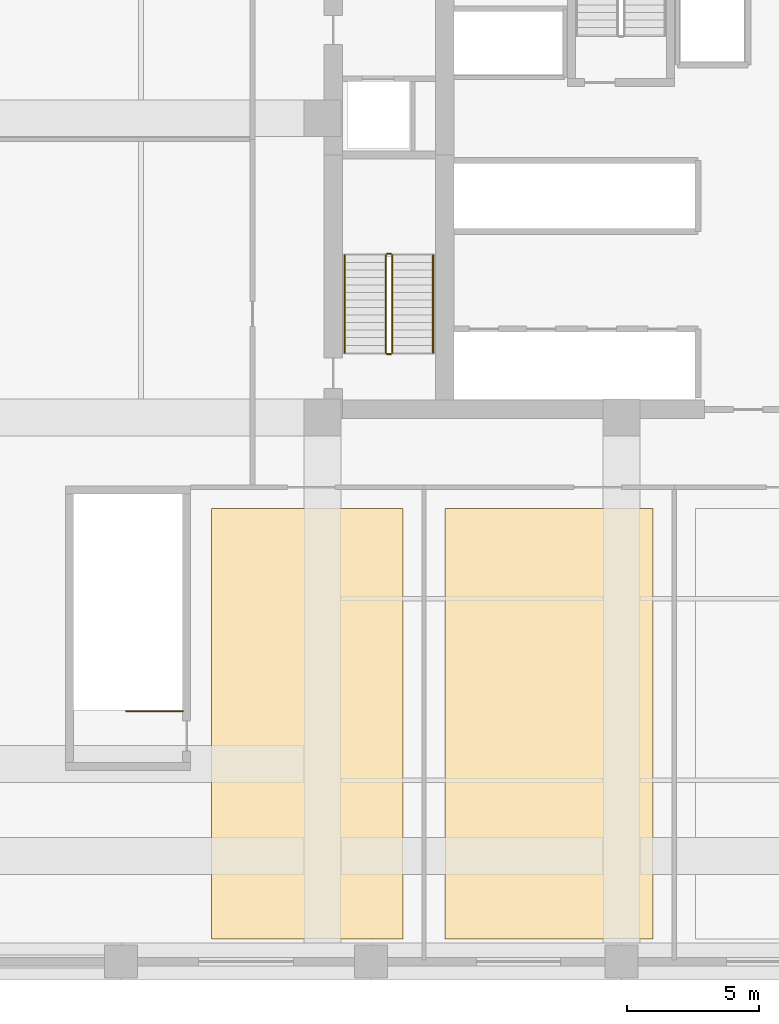
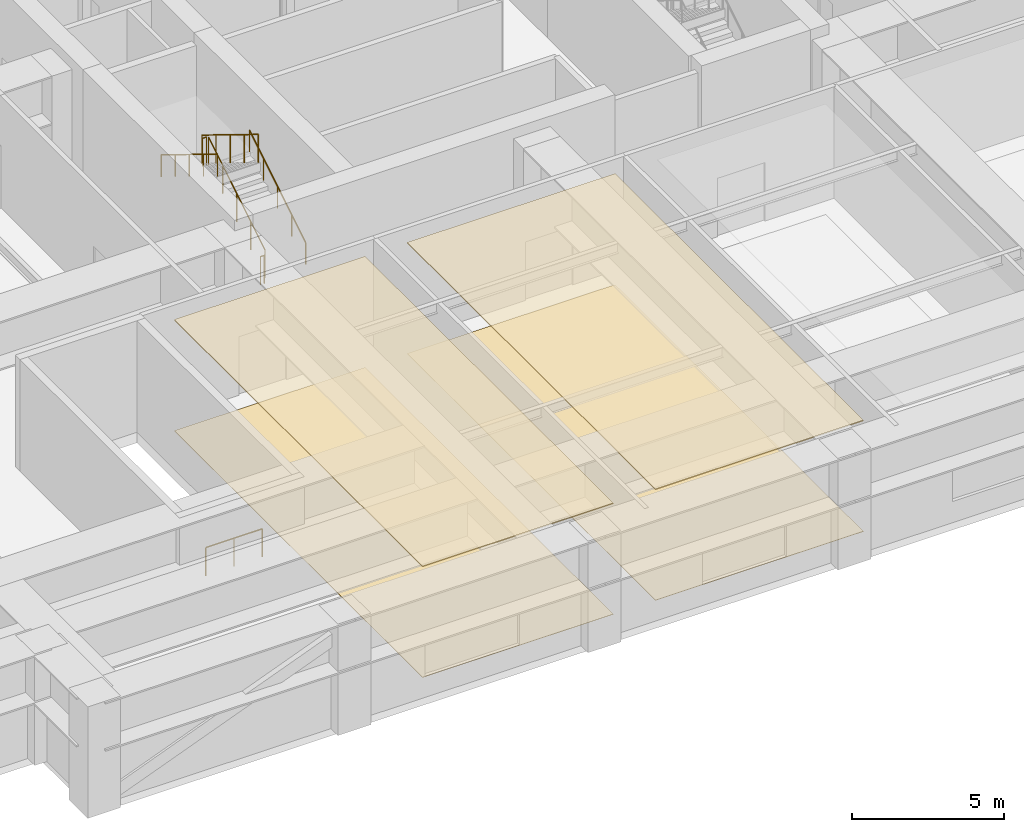
# One storey, part 6 of 8: 7 railings, 4 coverings.
"""IFC4 building model written with IfcOpenShell, lengths in metres."""

import ifcopenshell
import ifcopenshell.guid

model = None  # the IFC model being written
_history = None  # IfcOwnerHistory: only IFC2X3 demands one
_inside = {}  # id of a spatial element -> (the spatial element, [elements in it])
_under = {}  # id of a project, library or spatial element -> (it, [spatial elements below it])
_declared = {}  # id of a project -> (the project, [libraries it declares])
_typed = {}  # id of a type object -> (the type object, [elements of that type])
_made_of = {}  # id of a material, layer set ... -> (it, [elements and type objects made of it])


def new_model(schema):
    """Start an empty IFC model of exactly this schema.

    Asked for "IFC4X3", IfcOpenShell would pick the latest addendum, in which some entities
    have other attributes; the version numbers below select the first issue.
    IFC2X3 requires an IfcOwnerHistory on every rooted entity: one is made here for all.
    """
    global model, _history
    if schema == "IFC4X3":
        model = ifcopenshell.file(schema_version=(4, 3, 0, 0))
    else:
        model = ifcopenshell.file(schema=schema)
    _inside.clear()
    _under.clear()
    _declared.clear()
    _typed.clear()
    _made_of.clear()
    _history = None
    if model.schema == "IFC2X3":
        org = make("IfcOrganization", Name="unknown")
        user = make(
            "IfcPersonAndOrganization",
            ThePerson=make("IfcPerson", FamilyName="unknown"),
            TheOrganization=org,
        )
        app = make(
            "IfcApplication",
            ApplicationDeveloper=org,
            Version="unknown",
            ApplicationFullName="unknown",
            ApplicationIdentifier="unknown",
        )
        _history = make(
            "IfcOwnerHistory",
            OwningUser=user,
            OwningApplication=app,
            ChangeAction="ADDED",
            CreationDate=0,
        )
    return model


def make(cls, **values):
    """One entity of the class cls with the attributes given. An attribute that is None is left unset."""
    return model.create_entity(
        cls, **{name: value for name, value in values.items() if value is not None}
    )


def rooted(cls, **values):
    """An entity with a GlobalId (a new one), such as an element, a storey or a relation."""
    return make(cls, GlobalId=ifcopenshell.guid.new(), OwnerHistory=_history, **values)


def si_unit(unit_type, name, prefix=None):
    """IfcSIUnit, for example si_unit("LENGTHUNIT", "METRE", prefix="MILLI")."""
    return make("IfcSIUnit", UnitType=unit_type, Prefix=prefix, Name=name)


def assignment(units):
    """IfcUnitAssignment: the units of a project."""
    return None if units is None else make("IfcUnitAssignment", Units=units)


def point(xyz):
    """IfcCartesianPoint."""
    return None if xyz is None else make("IfcCartesianPoint", Coordinates=xyz)


def direction(xyz):
    """IfcDirection."""
    return None if xyz is None else make("IfcDirection", DirectionRatios=xyz)


def frame(location, z_axis=None, x_axis=None):
    """IfcAxis2Placement3D, a coordinate frame: its origin and axes. An axis left out is left unset."""
    return make(
        "IfcAxis2Placement3D",
        Location=point(location),
        Axis=direction(z_axis),
        RefDirection=direction(x_axis),
    )


def frame_2d(location, x_axis=None):
    """IfcAxis2Placement2D, a coordinate frame in the plane: its origin and x axis."""
    return make(
        "IfcAxis2Placement2D", Location=point(location), RefDirection=direction(x_axis)
    )


def origin():
    """The frame at (0, 0, 0) with its axes left unset."""
    return frame((0.0, 0.0, 0.0))


def origin_2d():
    """The frame at (0, 0) in the plane with its x axis left unset."""
    return frame_2d((0.0, 0.0))


def place(relative_to, where):
    """IfcLocalPlacement: puts the frame where relative to a parent placement (None: the world)."""
    return make(
        "IfcLocalPlacement", PlacementRelTo=relative_to, RelativePlacement=where
    )


def context(
    kind, dimensions, precision=None, world=None, true_north=None, identifier=None
):
    """IfcGeometricRepresentationContext, for example the 3D "Model" context."""
    return make(
        "IfcGeometricRepresentationContext",
        ContextIdentifier=identifier,
        ContextType=kind,
        CoordinateSpaceDimension=dimensions,
        Precision=precision,
        WorldCoordinateSystem=world,
        TrueNorth=true_north,
    )


def subcontext(parent, identifier, kind, view, scale=None):
    """IfcGeometricRepresentationSubContext, for example "Body" below "Model"."""
    return make(
        "IfcGeometricRepresentationSubContext",
        ContextIdentifier=identifier,
        ContextType=kind,
        ParentContext=parent,
        TargetScale=scale,
        TargetView=view,
    )


def project(units=None, contexts=None):
    """IfcProject with its units and contexts."""
    return rooted(
        "IfcProject",
        Name="project",
        RepresentationContexts=contexts,
        UnitsInContext=assignment(units),
    )


def spatial(cls, under=None, at=None, **own):
    """A site, building, storey or space (cls), placed at a placement, below another one or the project."""
    s = rooted(cls, ObjectPlacement=at, **own)
    if under is not None:
        _under.setdefault(under.id(), (under, []))[1].append(s)
    return s


def polyline(points):
    """IfcPolyline through the points."""
    return make("IfcPolyline", Points=[point(p) for p in points])


def profile(cls, at=None, kind="AREA", **sizes):
    """A parametric profile (cls). Its sizes go by their IFC names, for example OverallWidth=200.0."""
    return make(cls, ProfileType=kind, Position=at, **sizes)


def circle(**sizes):
    """IfcCircleProfileDef."""
    return profile("IfcCircleProfileDef", **sizes)


def outline(outer, holes=None, kind="AREA"):
    """IfcArbitraryClosedProfileDef: a profile drawn as a closed curve; with holes, ...WithVoids."""
    if holes is None:
        return make("IfcArbitraryClosedProfileDef", ProfileType=kind, OuterCurve=outer)
    return make(
        "IfcArbitraryProfileDefWithVoids",
        ProfileType=kind,
        OuterCurve=outer,
        InnerCurves=holes,
    )


def extrude(swept, where, along, depth):
    """IfcExtrudedAreaSolid: the profile swept, set in the frame where, extruded along a direction by depth."""
    return make(
        "IfcExtrudedAreaSolid",
        SweptArea=swept,
        Position=where,
        ExtrudedDirection=direction(along),
        Depth=depth,
    )


def shape(context_of_items, identifier, shape_type, items):
    """IfcShapeRepresentation: the items that make up one representation, for example the "Body"."""
    return make(
        "IfcShapeRepresentation",
        ContextOfItems=context_of_items,
        RepresentationIdentifier=identifier,
        RepresentationType=shape_type,
        Items=items,
    )


def material(Name=None, Category=None):
    """IfcMaterial."""
    return make("IfcMaterial", Name=Name, Category=Category)


def layer(
    of_material, thickness, ventilated=None, Name=None, Category=None, Priority=None
):
    """IfcMaterialLayer: one layer of a wall or slab, of a material (None: an air gap)."""
    return make(
        "IfcMaterialLayer",
        Material=of_material,
        LayerThickness=thickness,
        IsVentilated=ventilated,
        Name=Name,
        Category=Category,
        Priority=Priority,
    )


def layer_set(layers, Name=None):
    """IfcMaterialLayerSet."""
    return make("IfcMaterialLayerSet", MaterialLayers=layers, LayerSetName=Name)


def made_of(thing, what):
    """Note that an element or type object is made of a material, layer set ...; save() writes the relation."""
    if what is not None:
        _made_of.setdefault(what.id(), (what, []))[1].append(thing)
    return thing


def type_object(cls, material=None, **own):
    """A type object (cls), such as IfcWallType, which elements share."""
    return made_of(rooted(cls, **own), material)


def element(
    cls,
    number,
    at=None,
    inside=None,
    cuts=None,
    type_object=None,
    material=None,
    context=None,
    identifier="Body",
    shape_type=None,
    held_by="IfcProductDefinitionShape",
    body=None,
    shapes=None,
    **own,
):
    """One element of the class cls, such as IfcWall. Its Tag is "e" and its number.

    at: its placement. inside: the storey or other place that contains it. cuts: it is an
    opening in that element (IfcRelVoidsElement). A single representation is given by context,
    identifier, shape_type and body (its items); several are given by shapes. held_by: the class
    of the entity that holds the representations. save() writes the other relations.
    """
    e = rooted(cls, Tag="e%d" % number, ObjectPlacement=at, **own)
    if body is not None:
        shapes = [shape(context, identifier, shape_type, body)]
    if shapes is not None:
        e.Representation = make(held_by, Representations=shapes)
    if inside is not None:
        _inside.setdefault(inside.id(), (inside, []))[1].append(e)
    if cuts is not None:
        rooted(
            "IfcRelVoidsElement", RelatingBuildingElement=cuts, RelatedOpeningElement=e
        )
    if type_object is not None:
        _typed.setdefault(type_object.id(), (type_object, []))[1].append(e)
    return made_of(e, material)


def aggregate(whole, parts):
    """IfcRelAggregates: a whole, such as a stair, and the parts it consists of."""
    return rooted("IfcRelAggregates", RelatingObject=whole, RelatedObjects=parts)


def save(model, path):
    """Write the relations noted so far, then the file.

    IfcRelAggregates (storeys below a building ...), IfcRelContainedInSpatialStructure (elements
    in a storey), IfcRelDefinesByType, IfcRelAssociatesMaterial and IfcRelDeclares: one each for
    every whole, place, type object, material and project.
    """
    for whole, parts in _under.values():
        aggregate(whole, parts)
    for where, things in _inside.values():
        rooted(
            "IfcRelContainedInSpatialStructure",
            RelatedElements=things,
            RelatingStructure=where,
        )
    for kind, things in _typed.values():
        rooted("IfcRelDefinesByType", RelatedObjects=things, RelatingType=kind)
    for what, things in _made_of.values():
        rooted("IfcRelAssociatesMaterial", RelatedObjects=things, RelatingMaterial=what)
    for by, libraries in _declared.values():
        rooted("IfcRelDeclares", RelatingContext=by, RelatedDefinitions=libraries)
    model.write(path)


model = new_model("IFC4")

# Units and contexts
model_context = context("Model", 3, precision=1e-05, world=origin(), true_north=direction((0.0, 1.0)))
body_context = subcontext(model_context, "Body", "Model", "MODEL_VIEW")
ifc_project = project(units=[si_unit("LENGTHUNIT", "METRE"), si_unit("AREAUNIT", "SQUARE_METRE"), si_unit("VOLUMEUNIT", "CUBIC_METRE"), si_unit("PLANEANGLEUNIT", "RADIAN"), si_unit("MASSUNIT", "GRAM", prefix="KILO")], contexts=[model_context])

# Site, building, storey
site_placement = place(None, origin())
site = spatial("IfcSite", under=ifc_project, at=site_placement, CompositionType="ELEMENT")
building_placement = place(site_placement, origin())
building = spatial("IfcBuilding", under=site, at=building_placement, Name="Nhamokura Convention Tower", CompositionType="ELEMENT")
storey_placement = place(building_placement, frame((0.0, 0.0, 29.39990234375)))
storey = spatial("IfcBuildingStorey", under=building, at=storey_placement, Name="L05", CompositionType="ELEMENT", Elevation=29.39990234375)

# Coverings
ifc_material_1 = material(Name="Anodised bronze aluminium ceiling baffle", Category="aluminium")
ifc_layer_1 = layer(ifc_material_1, 0.0400390625)
ifc_layer_set_1 = layer_set([ifc_layer_1], Name="BronzeBaffleCeiling_40")
covering_type_1 = type_object("IfcCoveringType", Name="BronzeBaffleCeiling_40", PredefinedType="CEILING", material=ifc_layer_set_1)
covering_1_placement = place(storey_placement, frame((0.0, 0.0, 4.440185546875)))
element("IfcCovering", 1, at=covering_1_placement, inside=storey, type_object=covering_type_1, Name="L05 Suspended Ceiling 03", PredefinedType="CEILING", context=body_context, shape_type="SweptSolid", body=[
    extrude(outline(polyline([(16.449951171875, 0.860107421875), (23.699951171875, 0.860107421875), (23.699951171875, 17.199951171875), (16.449951171875, 17.199951171875), (16.449951171875, 0.860107421875)])), origin(), (0.0, 0.0, 1.0), 0.039794921875),
])
covering_2_placement = place(storey_placement, frame((0.0, 0.0, 4.440185546875)))
element("IfcCovering", 2, at=covering_2_placement, inside=storey, type_object=covering_type_1, Name="L05 Suspended Ceiling 04", PredefinedType="CEILING", context=body_context, shape_type="SweptSolid", body=[
    extrude(outline(polyline([(25.300048828125, 0.860107421875), (33.199951171875, 0.860107421875), (33.199951171875, 17.199951171875), (25.300048828125, 17.199951171875), (25.300048828125, 0.860107421875)])), origin(), (0.0, 0.0, 1.0), 0.039794921875),
])

# Railings
ifc_material_2 = material(Name="Anodised bronze stainless steel", Category="steel")
railing_type_1 = type_object("IfcRailingType", Name="StairWallHandrail_900", PredefinedType="HANDRAIL", material=ifc_material_2)
railing_1_placement = place(storey_placement, frame((24.85009765625, 23.10009765625, 0.175048828125)))
element("IfcRailing", 3, at=railing_1_placement, inside=storey, type_object=railing_type_1, Name="L05 ST-01 stair handrail 1", PredefinedType="HANDRAIL", context=body_context, shape_type="SweptSolid", body=[
    extrude(circle(Radius=0.02392578125, at=origin_2d()), frame((0.0, 0.0, 0.8759765625), z_axis=(0.0, 0.852145745541, 0.523304527361), x_axis=(-1.0, 0.0, 0.0)), (0.0, 0.0, 1.0), 4.34765625),
    extrude(circle(Radius=0.02099609375, at=origin_2d()), origin(), (0.0, 0.0, 1.0), 0.851806640625),
    extrude(circle(Radius=0.02099609375, at=origin_2d()), frame((0.0, 0.92626953125, 0.56884765625)), (0.0, 0.0, 1.0), 0.851806640625),
    extrude(circle(Radius=0.02099609375, at=origin_2d()), frame((0.0, 1.8525390625, 1.1376953125)), (0.0, 0.0, 1.0), 0.851806640625),
    extrude(circle(Radius=0.02099609375, at=origin_2d()), frame((0.0, 2.778564453125, 1.706298828125)), (0.0, 0.0, 1.0), 0.851806640625),
    extrude(circle(Radius=0.02099609375, at=origin_2d()), frame((0.0, 3.704833984375, 2.275146484375)), (0.0, 0.0, 1.0), 0.851806640625),
])
railing_2_placement = place(storey_placement, frame((21.5, 26.804931640625, 2.625)))
element("IfcRailing", 4, at=railing_2_placement, inside=storey, type_object=railing_type_1, Name="L05 ST-01 stair handrail 2", PredefinedType="HANDRAIL", context=body_context, shape_type="SweptSolid", body=[
    extrude(circle(Radius=0.02392578125, at=origin_2d()), frame((0.0, 0.0, 0.8759765625), z_axis=(0.0, -0.852145745541, 0.523304527361), x_axis=(1.0, 0.0, 0.0)), (0.0, 0.0, 1.0), 4.34765625),
    extrude(circle(Radius=0.02099609375, at=origin_2d()), origin(), (0.0, 0.0, 1.0), 0.851806640625),
    extrude(circle(Radius=0.02099609375, at=origin_2d()), frame((0.0, -0.92626953125, 0.56884765625)), (0.0, 0.0, 1.0), 0.851806640625),
    extrude(circle(Radius=0.02099609375, at=origin_2d()), frame((0.0, -1.8525390625, 1.1376953125)), (0.0, 0.0, 1.0), 0.851806640625),
    extrude(circle(Radius=0.02099609375, at=origin_2d()), frame((0.0, -2.778564453125, 1.706298828125)), (0.0, 0.0, 1.0), 0.851806640625),
    extrude(circle(Radius=0.02099609375, at=origin_2d()), frame((0.0, -3.704833984375, 2.275146484375)), (0.0, 0.0, 1.0), 0.851806640625),
])
ifc_material_3 = material(Name="Painted tubular steel", Category="steel")
railing_type_2 = type_object("IfcRailingType", Name="StairWellGuardrail_1150", PredefinedType="GUARDRAIL", material=ifc_material_3)
railing_3_placement = place(storey_placement, frame((23.300048828125, 23.10009765625, 0.175048828125)))
element("IfcRailing", 5, at=railing_3_placement, inside=storey, type_object=railing_type_2, Name="L05 ST-01 stair guard 1", PredefinedType="GUARDRAIL", context=body_context, shape_type="SweptSolid", body=[
    extrude(circle(Radius=0.02392578125, at=origin_2d()), frame((0.0, 0.0, 1.1259765625), z_axis=(0.0, 0.852145745541, 0.523304527361), x_axis=(-1.0, 0.0, 0.0)), (0.0, 0.0, 1.0), 4.34765625),
    extrude(circle(Radius=0.02099609375, at=origin_2d()), origin(), (0.0, 0.0, 1.0), 1.101806640625),
    extrude(circle(Radius=0.02099609375, at=origin_2d()), frame((0.0, 0.92626953125, 0.56884765625)), (0.0, 0.0, 1.0), 1.101806640625),
    extrude(circle(Radius=0.02099609375, at=origin_2d()), frame((0.0, 1.8525390625, 1.1376953125)), (0.0, 0.0, 1.0), 1.101806640625),
    extrude(circle(Radius=0.02099609375, at=origin_2d()), frame((0.0, 2.778564453125, 1.706298828125)), (0.0, 0.0, 1.0), 1.101806640625),
    extrude(circle(Radius=0.02099609375, at=origin_2d()), frame((0.0, 3.704833984375, 2.275146484375)), (0.0, 0.0, 1.0), 1.101806640625),
])
railing_4_placement = place(storey_placement, frame((23.25, 26.85498046875, 2.4501953125)))
element("IfcRailing", 6, at=railing_4_placement, inside=storey, type_object=railing_type_2, Name="L05 ST-01 stair guard 2", PredefinedType="GUARDRAIL", context=body_context, shape_type="SweptSolid", body=[
    extrude(circle(Radius=0.02392578125, at=origin_2d()), frame((0.0, 0.0, 1.1259765625), z_axis=(-1.0, 0.0, 0.0), x_axis=(0.0, -1.0, 0.0)), (0.0, 0.0, 1.0), 0.14990234375),
    extrude(circle(Radius=0.02099609375, at=origin_2d()), origin(), (0.0, 0.0, 1.0), 1.101806640625),
    extrude(circle(Radius=0.02099609375, at=origin_2d()), frame((-0.14990234375, 0.0, 0.0)), (0.0, 0.0, 1.0), 1.101806640625),
])
railing_5_placement = place(storey_placement, frame((23.050048828125, 26.804931640625, 2.625)))
element("IfcRailing", 7, at=railing_5_placement, inside=storey, type_object=railing_type_2, Name="L05 ST-01 stair guard 3", PredefinedType="GUARDRAIL", context=body_context, shape_type="SweptSolid", body=[
    extrude(circle(Radius=0.02392578125, at=origin_2d()), frame((0.0, 0.0, 1.1259765625), z_axis=(0.0, -0.852145745541, 0.523304527361), x_axis=(1.0, 0.0, 0.0)), (0.0, 0.0, 1.0), 4.34765625),
    extrude(circle(Radius=0.02099609375, at=origin_2d()), origin(), (0.0, 0.0, 1.0), 1.101806640625),
    extrude(circle(Radius=0.02099609375, at=origin_2d()), frame((0.0, -0.92626953125, 0.56884765625)), (0.0, 0.0, 1.0), 1.101806640625),
    extrude(circle(Radius=0.02099609375, at=origin_2d()), frame((0.0, -1.8525390625, 1.1376953125)), (0.0, 0.0, 1.0), 1.101806640625),
    extrude(circle(Radius=0.02099609375, at=origin_2d()), frame((0.0, -2.778564453125, 1.706298828125)), (0.0, 0.0, 1.0), 1.101806640625),
    extrude(circle(Radius=0.02099609375, at=origin_2d()), frame((0.0, -3.704833984375, 2.275146484375)), (0.0, 0.0, 1.0), 1.101806640625),
])
railing_6_placement = place(storey_placement, frame((23.25, 23.050048828125, 0.0)))
element("IfcRailing", 8, at=railing_6_placement, inside=storey, type_object=railing_type_2, Name="L05 ST-01 stair guard 4", PredefinedType="GUARDRAIL", context=body_context, shape_type="SweptSolid", body=[
    extrude(circle(Radius=0.02392578125, at=origin_2d()), frame((0.0, 0.0, 1.1259765625), z_axis=(-1.0, 0.0, 0.0), x_axis=(0.0, -1.0, 0.0)), (0.0, 0.0, 1.0), 0.14990234375),
    extrude(circle(Radius=0.02099609375, at=origin_2d()), origin(), (0.0, 0.0, 1.0), 1.101806640625),
    extrude(circle(Radius=0.02099609375, at=origin_2d()), frame((-0.14990234375, 0.0, 0.0)), (0.0, 0.0, 1.0), 1.101806640625),
])
railing_7_placement = place(storey_placement, frame((15.35009765625, 9.5, 0.0)))
element("IfcRailing", 9, at=railing_7_placement, inside=storey, type_object=railing_type_2, Name="L05 ST-04 top well guard 1", PredefinedType="GUARDRAIL", context=body_context, shape_type="SweptSolid", body=[
    extrude(circle(Radius=0.02392578125, at=origin_2d()), frame((0.0, 0.0, 1.1259765625), z_axis=(-1.0, 0.0, 0.0), x_axis=(0.0, -1.0, 0.0)), (0.0, 0.0, 1.0), 2.150146484375),
    extrude(circle(Radius=0.02099609375, at=origin_2d()), origin(), (0.0, 0.0, 1.0), 1.101806640625),
    extrude(circle(Radius=0.02099609375, at=origin_2d()), frame((-1.0751953125, 0.0, 0.0)), (0.0, 0.0, 1.0), 1.101806640625),
    extrude(circle(Radius=0.02099609375, at=origin_2d()), frame((-2.150146484375, 0.0, 0.0)), (0.0, 0.0, 1.0), 1.101806640625),
])

# Coverings
ifc_material_4 = material(Name="Acoustic woven hospitality carpet", Category="wood")
ifc_layer_2 = layer(ifc_material_4, 0.014892578125)
ifc_layer_set_2 = layer_set([ifc_layer_2], Name="WovenCarpetFlooring_15")
covering_type_2 = type_object("IfcCoveringType", Name="WovenCarpetFlooring_15", PredefinedType="FLOORING", material=ifc_layer_set_2)
covering_3_placement = place(storey_placement, origin())
element("IfcCovering", 10, at=covering_3_placement, inside=storey, type_object=covering_type_2, Name="L05 Finish Flooring 03", PredefinedType="FLOORING", context=body_context, shape_type="SweptSolid", body=[
    extrude(outline(polyline([(16.449951171875, 0.860107421875), (23.699951171875, 0.860107421875), (23.699951171875, 17.199951171875), (16.449951171875, 17.199951171875), (16.449951171875, 0.860107421875)])), origin(), (0.0, 0.0, 1.0), 0.01513671875),
])
covering_4_placement = place(storey_placement, origin())
element("IfcCovering", 11, at=covering_4_placement, inside=storey, type_object=covering_type_2, Name="L05 Finish Flooring 04", PredefinedType="FLOORING", context=body_context, shape_type="SweptSolid", body=[
    extrude(outline(polyline([(25.300048828125, 0.860107421875), (33.199951171875, 0.860107421875), (33.199951171875, 17.199951171875), (25.300048828125, 17.199951171875), (25.300048828125, 0.860107421875)])), origin(), (0.0, 0.0, 1.0), 0.01513671875),
])

save(model, "model.ifc")
